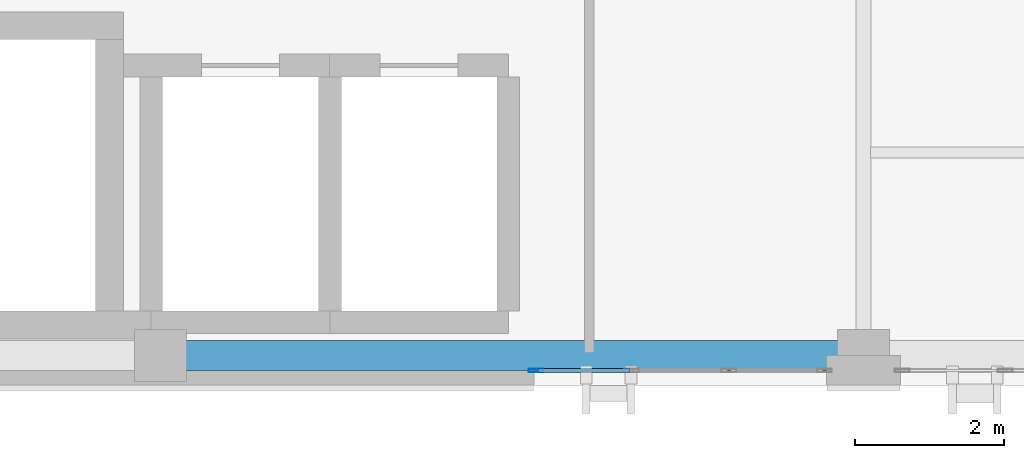
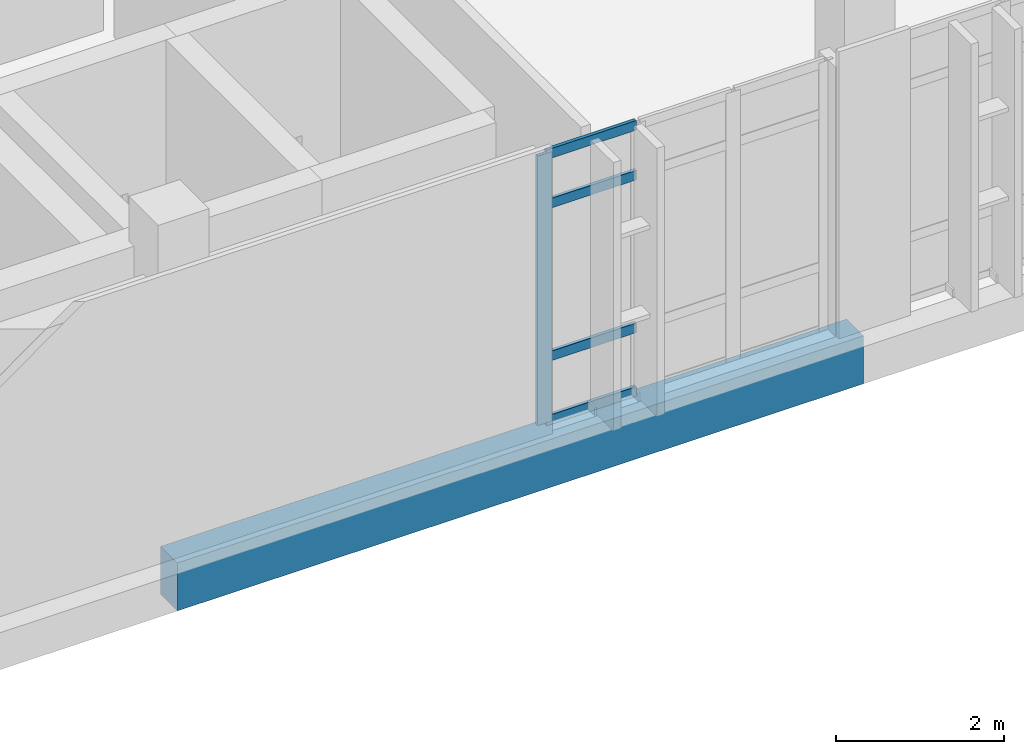
# One storey, part 17 of 158: 5 members, 1 beam, 1 element without a shape of its own.
"""IFC4 building model written with IfcOpenShell, lengths in metres."""

from ifc_helpers import new_model, si_unit, direction, frame, origin, origin_2d, place, context, subcontext, project, spatial, rectangle, hollow_rectangle, extrude, material, layer, layer_set, material_profile, profile_set, type_object, element, aggregate, save


model = new_model("IFC4")

# Units and contexts
model_context = context("Model", 3, precision=1e-05, world=origin(), true_north=direction((0.0, 1.0)))
body_context = subcontext(model_context, "Body", "Model", "MODEL_VIEW")
ifc_project = project(units=[si_unit("LENGTHUNIT", "METRE"), si_unit("AREAUNIT", "SQUARE_METRE"), si_unit("VOLUMEUNIT", "CUBIC_METRE"), si_unit("PLANEANGLEUNIT", "RADIAN"), si_unit("MASSUNIT", "GRAM", prefix="KILO")], contexts=[model_context])

# Site, building, storey
site_placement = place(None, origin())
site = spatial("IfcSite", under=ifc_project, at=site_placement, CompositionType="ELEMENT")
building_placement = place(site_placement, origin())
building = spatial("IfcBuilding", under=site, at=building_placement, Name="Qalavern Law Courts", CompositionType="ELEMENT")
storey_placement = place(building_placement, frame((0.0, 0.0, 18.60009765625)))
storey = spatial("IfcBuildingStorey", under=building, at=storey_placement, Name="L04", CompositionType="ELEMENT", Elevation=18.60009765625)

# Curtain wall, members
ifc_material_1 = material(Name="Anodised aluminium and insulated glazing", Category="aluminium")
ifc_layer = layer(ifc_material_1, 0.18505859375)
ifc_layer_set = layer_set([ifc_layer], Name="Anodised aluminium and insulated glazing")
curtain_wall_type = type_object("IfcCurtainWallType", Name="ENV-CW-HALL", PredefinedType="USERDEFINED", material=ifc_layer_set)
curtain_wall_placement = place(storey_placement, origin())
curtain_wall = element("IfcCurtainWall", 1, at=curtain_wall_placement, inside=storey, type_object=curtain_wall_type, Name="V2 unitised curtain wall L04 south 1", ObjectType="UNITISED CURTAIN WALL", PredefinedType="USERDEFINED")
ifc_material_2 = material(Name="Anodised aluminium", Category="aluminium")
ifc_material_profile_1 = material_profile(ifc_material_2, hollow_rectangle(XDim=0.048095703125, YDim=0.199951171875, WallThickness=0.00439453125, at=origin_2d()), Name="ALU MULLION 48x200")
ifc_profile_set_1 = profile_set([ifc_material_profile_1], Name="Anodised aluminium")
member_type_1 = type_object("IfcMemberType", Name="ENV-CWM-48x200", PredefinedType="MULLION", material=ifc_profile_set_1)
member_1_placement = place(storey_placement, frame((49.1240234375, 5.39990234375, 0.0), z_axis=(0.0, 0.0, 1.0), x_axis=(0.0, 1.0, 0.0)))
member_1 = element("IfcMember", 2, at=member_1_placement, type_object=member_type_1, Name="CW-02 mullion 1", PredefinedType="MULLION", context=body_context, shape_type="SweptSolid", body=[
    extrude(hollow_rectangle(XDim=0.048095703125, YDim=0.199951171875, WallThickness=0.00439453125, at=origin_2d()), origin(), (0.0, 0.0, 1.0), 3.9248046875),
])
ifc_material_profile_2 = material_profile(ifc_material_2, hollow_rectangle(XDim=0.048095703125, YDim=0.139892578125, WallThickness=0.00390625, at=origin_2d()), Name="ALU TRANSOM 48x140")
ifc_profile_set_2 = profile_set([ifc_material_profile_2], Name="Anodised aluminium")
member_type_2 = type_object("IfcMemberType", Name="ENV-CWT-48x140", PredefinedType="USERDEFINED", material=ifc_profile_set_2)
member_2_placement = place(storey_placement, frame((49.14794921875, 5.39990234375, 0.02392578125), z_axis=(1.0, 0.0, 0.0), x_axis=(0.0, 1.0, 0.0)))
member_2 = element("IfcMember", 3, at=member_2_placement, type_object=member_type_2, Name="CW-02 transom 1.1", ObjectType="TRANSOM", PredefinedType="USERDEFINED", context=body_context, shape_type="SweptSolid", body=[
    extrude(hollow_rectangle(XDim=0.048095703125, YDim=0.139892578125, WallThickness=0.00390625, at=origin_2d()), origin(), (0.0, 0.0, 1.0), 1.237548828125),
])
member_3_placement = place(storey_placement, frame((49.14794921875, 5.39990234375, 0.949951171875), z_axis=(1.0, 0.0, 0.0), x_axis=(0.0, 1.0, 0.0)))
member_3 = element("IfcMember", 4, at=member_3_placement, type_object=member_type_2, Name="CW-02 transom 1.2", ObjectType="TRANSOM", PredefinedType="USERDEFINED", context=body_context, shape_type="SweptSolid", body=[
    extrude(hollow_rectangle(XDim=0.048095703125, YDim=0.139892578125, WallThickness=0.00390625, at=origin_2d()), origin(), (0.0, 0.0, 1.0), 1.237548828125),
])
member_4_placement = place(storey_placement, frame((49.14794921875, 5.39990234375, 3.1748046875), z_axis=(1.0, 0.0, 0.0), x_axis=(0.0, 1.0, 0.0)))
member_4 = element("IfcMember", 5, at=member_4_placement, type_object=member_type_2, Name="CW-02 transom 1.3", ObjectType="TRANSOM", PredefinedType="USERDEFINED", context=body_context, shape_type="SweptSolid", body=[
    extrude(hollow_rectangle(XDim=0.048095703125, YDim=0.139892578125, WallThickness=0.00390625, at=origin_2d()), origin(), (0.0, 0.0, 1.0), 1.237548828125),
])
member_5_placement = place(storey_placement, frame((49.14794921875, 5.39990234375, 3.90087890625), z_axis=(1.0, 0.0, 0.0), x_axis=(0.0, 1.0, 0.0)))
member_5 = element("IfcMember", 6, at=member_5_placement, type_object=member_type_2, Name="CW-02 transom 1.4", ObjectType="TRANSOM", PredefinedType="USERDEFINED", context=body_context, shape_type="SweptSolid", body=[
    extrude(hollow_rectangle(XDim=0.048095703125, YDim=0.139892578125, WallThickness=0.00390625, at=origin_2d()), origin(), (0.0, 0.0, 1.0), 1.237548828125),
])
aggregate(curtain_wall, [member_1, member_2, member_3, member_4, member_5])

# Beam
ifc_material_3 = material(Name="Concrete C40/50", Category="concrete")
ifc_material_profile_3 = material_profile(ifc_material_3, rectangle(XDim=0.39990234375, YDim=0.699951171875, at=origin_2d()), Name="RC 400x700")
ifc_profile_set_3 = profile_set([ifc_material_profile_3], Name="Concrete C40/50")
beam_type = type_object("IfcBeamType", Name="STR-SP-RC400x700", PredefinedType="SPANDREL", material=ifc_profile_set_3)
beam_placement = place(storey_placement, frame((44.07421875, 5.60009765625, -0.630126953125), z_axis=(1.0, 0.0, 0.0), x_axis=(0.0, 1.0, 0.0)))
element("IfcBeam", 7, at=beam_placement, inside=storey, type_object=beam_type, Name="V2 X-beam 1-2 L04", PredefinedType="SPANDREL", context=body_context, shape_type="SweptSolid", body=[
    extrude(rectangle(XDim=0.39990234375, YDim=0.699951171875, at=origin_2d()), origin(), (0.0, 0.0, 1.0), 9.454345703125),
])

save(model, "model.ifc")
